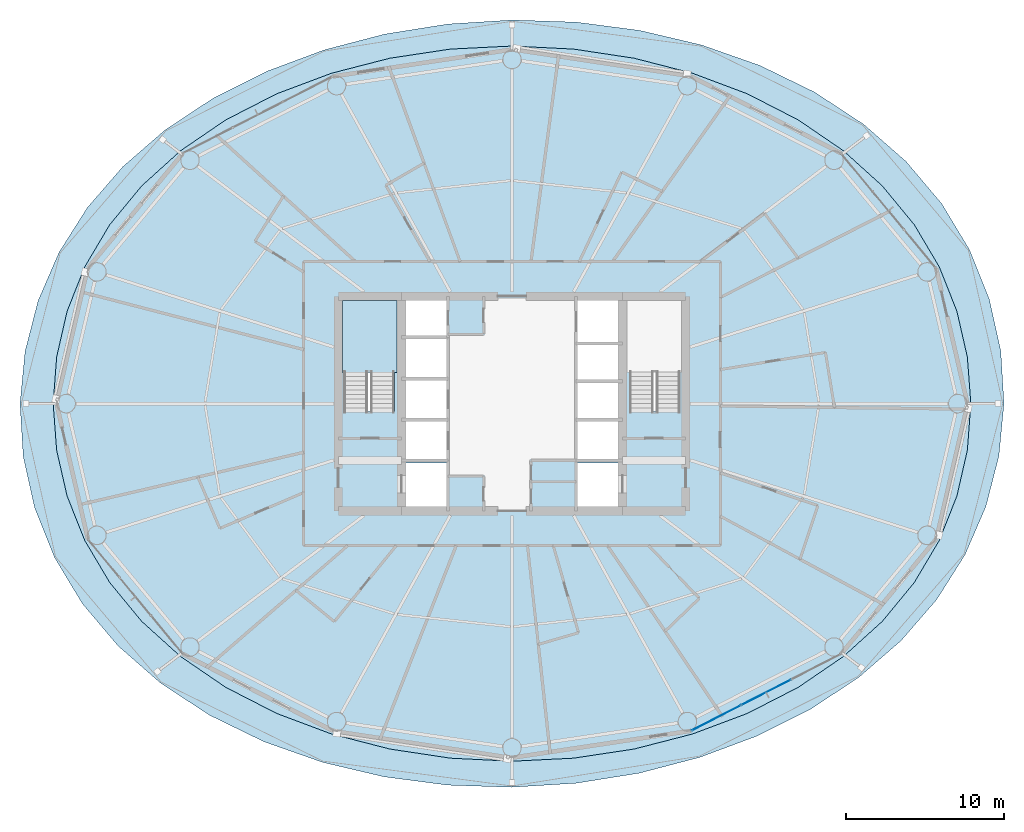
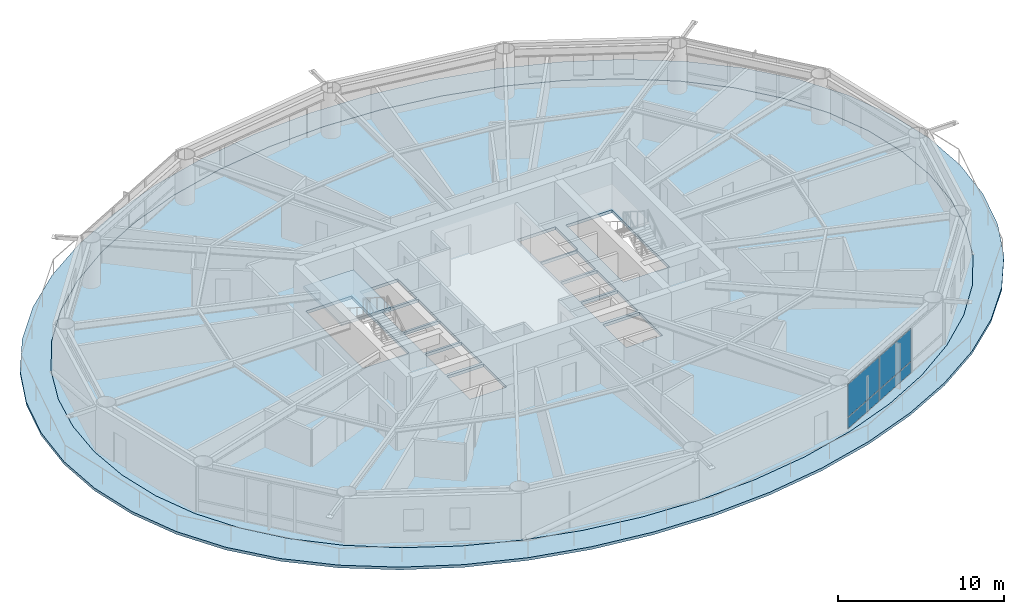
# One storey, part 15 of 24: 4 plates, 3 slabs, 2 elements without a shape of their own.
"""IFC4 building model written with IfcOpenShell, lengths in metres."""

from ifc_helpers import new_model, si_unit, direction, frame, origin, origin_2d, place, context, subcontext, project, spatial, polyline, rectangle, outline, extrude, material, layer, layer_set, type_object, element, aggregate, save


model = new_model("IFC4")

# Units and contexts
model_context = context("Model", 3, precision=1e-05, world=origin(), true_north=direction((0.0, 1.0)))
body_context = subcontext(model_context, "Body", "Model", "MODEL_VIEW")
ifc_project = project(units=[si_unit("LENGTHUNIT", "METRE"), si_unit("AREAUNIT", "SQUARE_METRE"), si_unit("VOLUMEUNIT", "CUBIC_METRE"), si_unit("PLANEANGLEUNIT", "RADIAN"), si_unit("MASSUNIT", "GRAM", prefix="KILO")], contexts=[model_context])

# Site, building, storey
site_placement = place(None, origin())
site = spatial("IfcSite", under=ifc_project, at=site_placement, CompositionType="ELEMENT")
building_placement = place(site_placement, origin())
building = spatial("IfcBuilding", under=site, at=building_placement, Name="Sarneth Arch Tower", CompositionType="ELEMENT")
storey_placement = place(building_placement, frame((0.0, 0.0, 112.800048828125)))
storey = spatial("IfcBuildingStorey", under=building, at=storey_placement, Name="L28", CompositionType="ELEMENT", Elevation=112.800048828125)

# Curtain wall, plates
ifc_material_1 = material(Name="Anodised aluminium Type AA25 and solar-control low-e laminated IGU", Category="aluminium")
ifc_layer_1 = layer(ifc_material_1, 0.159912109375)
ifc_layer_set_1 = layer_set([ifc_layer_1], Name="Anodised aluminium Type AA25 and solar-control low-e laminated IGU")
curtain_wall_type = type_object("IfcCurtainWallType", Name="CW-HOTEL-MID", PredefinedType="NOTDEFINED", material=ifc_layer_set_1)
curtain_wall_placement = place(storey_placement, origin())
curtain_wall = element("IfcCurtainWall", 1, at=curtain_wall_placement, inside=storey, type_object=curtain_wall_type, Name="L28 Unitised curtain wall facet 14", PredefinedType="NOTDEFINED")
ifc_material_2 = material(Name="Solar-control low-e laminated IGU", Category="glass")
ifc_layer_2 = layer(ifc_material_2, 0.028076171875)
ifc_layer_set_2 = layer_set([ifc_layer_2], Name="Solar-control low-e laminated IGU")
plate_type = type_object("IfcPlateType", Name="CW-PANEL", PredefinedType="CURTAIN_PANEL", material=ifc_layer_set_2)
plate_1_placement = place(storey_placement, frame((60.946044921875, 22.094482421875, 0.059814453125), z_axis=(0.0, 0.0, 1.0), x_axis=(0.889963703649, 0.456031365356, 0.0)))
plate_1 = element("IfcPlate", 2, at=plate_1_placement, type_object=plate_type, Name="Curtain wall glazed vision pane CW-L28-F14/P00-00", PredefinedType="CURTAIN_PANEL", context=body_context, shape_type="SweptSolid", body=[
    extrude(rectangle(XDim=3.464111328125, YDim=0.028076171875, at=origin_2d()), origin(), (0.0, 0.0, 1.0), 0.81005859375),
])
plate_2_placement = place(storey_placement, frame((60.946044921875, 22.094482421875, 0.93017578125), z_axis=(0.0, 0.0, 1.0), x_axis=(0.889963703649, 0.456031365356, 0.0)))
plate_2 = element("IfcPlate", 3, at=plate_2_placement, type_object=plate_type, Name="Curtain wall glazed vision pane CW-L28-F14/P00-01", PredefinedType="CURTAIN_PANEL", context=body_context, shape_type="SweptSolid", body=[
    extrude(rectangle(XDim=3.464111328125, YDim=0.028076171875, at=origin_2d()), origin(), (0.0, 0.0, 1.0), 2.389892578125),
])
plate_3_placement = place(storey_placement, frame((64.095703125, 23.70849609375, 0.059814453125), z_axis=(0.0, 0.0, 1.0), x_axis=(0.889963703649, 0.456031365356, 0.0)))
plate_3 = element("IfcPlate", 4, at=plate_3_placement, type_object=plate_type, Name="Curtain wall glazed vision pane CW-L28-F14/P01-00", PredefinedType="CURTAIN_PANEL", context=body_context, shape_type="SweptSolid", body=[
    extrude(rectangle(XDim=3.493896484375, YDim=0.028076171875, at=origin_2d()), origin(), (0.0, 0.0, 1.0), 0.81005859375),
])
plate_4_placement = place(storey_placement, frame((64.095703125, 23.70849609375, 0.93017578125), z_axis=(0.0, 0.0, 1.0), x_axis=(0.889963703649, 0.456031365356, 0.0)))
plate_4 = element("IfcPlate", 5, at=plate_4_placement, type_object=plate_type, Name="Curtain wall glazed vision pane CW-L28-F14/P01-01", PredefinedType="CURTAIN_PANEL", context=body_context, shape_type="SweptSolid", body=[
    extrude(rectangle(XDim=3.493896484375, YDim=0.028076171875, at=origin_2d()), origin(), (0.0, 0.0, 1.0), 2.389892578125),
])
aggregate(curtain_wall, [plate_1, plate_2, plate_3, plate_4])

# Slab
ifc_material_3 = material(Name="Concrete C50/60", Category="concrete")
ifc_layer_3 = layer(ifc_material_3, 0.199951171875)
ifc_layer_set_3 = layer_set([ifc_layer_3], Name="Concrete C50/60")
slab_type_1 = type_object("IfcSlabType", Name="SLAB-BALC-200", PredefinedType="FLOOR", material=ifc_layer_set_3)
slab_1_placement = place(storey_placement, frame((0.0, 0.0, -0.199951171875)))
element("IfcSlab", 6, at=slab_1_placement, inside=storey, type_object=slab_type_1, Name="L28 Helical balcony band slab", PredefinedType="FLOOR", context=body_context, shape_type="SweptSolid", body=[
    extrude(outline(polyline([(79.16357421875, 42.0), (78.962158203125, 45.335205078125), (78.233642578125, 48.60791015625), (76.9814453125, 51.739990234375), (75.21826171875, 54.666015625), (72.966552734375, 57.33349609375), (70.26220703125, 59.701171875), (67.155517578125, 61.73681640625), (63.7099609375, 63.416015625), (59.998046875, 64.720458984375), (56.094970703125, 65.638671875), (52.0732421875, 66.165283203125), (48.0, 66.29931640625), (43.93896484375, 66.044677734375), (39.951416015625, 65.40966796875), (36.100830078125, 64.40478515625), (32.4521484375, 63.044921875), (29.07080078125, 61.34619140625), (26.018798828125, 59.32763671875), (23.348876953125, 57.01025390625), (21.10205078125, 54.418212890625), (19.307373046875, 51.578857421875), (17.986083984375, 48.528076171875), (17.156982421875, 45.313720703125), (16.83642578125, 42.0), (17.037841796875, 38.664794921875), (17.766357421875, 35.39208984375), (19.0185546875, 32.260009765625), (20.78173828125, 29.333984375), (23.033447265625, 26.66650390625), (25.73779296875, 24.298828125), (28.844482421875, 22.26318359375), (32.2900390625, 20.583984375), (36.001953125, 19.279541015625), (39.905029296875, 18.361328125), (43.9267578125, 17.834716796875), (48.0, 17.70068359375), (52.06103515625, 17.955322265625), (56.048583984375, 18.59033203125), (59.899169921875, 19.59521484375), (63.5478515625, 20.955078125), (66.92919921875, 22.65380859375), (69.981201171875, 24.67236328125), (72.651123046875, 26.98974609375), (74.89794921875, 29.581787109375), (76.692626953125, 32.421142578125), (78.013916015625, 35.471923828125), (78.843017578125, 38.686279296875), (79.16357421875, 42.0)]), holes=[polyline([(77.062744140625, 42.0), (76.84228515625, 44.956298828125), (76.17724609375, 47.8623046875), (75.060546875, 50.667724609375), (73.486328125, 53.324951171875), (71.458251953125, 55.788330078125), (68.994384765625, 58.015869140625), (66.132080078125, 59.969482421875), (62.923828125, 61.615478515625), (59.435302734375, 62.92578125), (55.73779296875, 63.878173828125), (51.902587890625, 64.456298828125), (48.0, 64.64990234375), (44.097412109375, 64.456298828125), (40.26220703125, 63.878173828125), (36.564697265625, 62.92578125), (33.076171875, 61.615478515625), (29.867919921875, 59.969482421875), (27.005615234375, 58.015869140625), (24.541748046875, 55.788330078125), (22.513671875, 53.324951171875), (20.939453125, 50.667724609375), (19.82275390625, 47.8623046875), (19.15771484375, 44.956298828125), (18.937255859375, 42.0), (19.15771484375, 39.043701171875), (19.82275390625, 36.1376953125), (20.939453125, 33.332275390625), (22.513671875, 30.675048828125), (24.541748046875, 28.211669921875), (27.005615234375, 25.984130859375), (29.867919921875, 24.030517578125), (33.076171875, 22.384521484375), (36.564697265625, 21.07421875), (40.26220703125, 20.121826171875), (44.097412109375, 19.543701171875), (48.0, 19.35009765625), (51.902587890625, 19.543701171875), (55.73779296875, 20.121826171875), (59.435302734375, 21.07421875), (62.923828125, 22.384521484375), (66.132080078125, 24.030517578125), (68.994384765625, 25.984130859375), (71.458251953125, 28.211669921875), (73.486328125, 30.675048828125), (75.060546875, 33.332275390625), (76.17724609375, 36.1376953125), (76.84228515625, 39.043701171875), (77.062744140625, 42.0)])]), origin(), (0.0, 0.0, 1.0), 0.199951171875),
])

# Stair, slab
ifc_material_4 = material(Name="Concrete C50/60", Category="concrete")
stair_type = type_object("IfcStairType", Name="STAIR-CORE-RC", PredefinedType="HALF_TURN_STAIR", material=ifc_material_4)
stair_placement = place(storey_placement, origin())
stair = element("IfcStair", 7, at=stair_placement, inside=storey, type_object=stair_type, Name="L28 Core Exit Stair 1", PredefinedType="HALF_TURN_STAIR")
ifc_material_5 = material(Name="Concrete C50/60", Category="concrete")
ifc_layer_4 = layer(ifc_material_5, 0.199951171875)
ifc_layer_set_4 = layer_set([ifc_layer_4], Name="Concrete C50/60")
slab_type_2 = type_object("IfcSlabType", Name="SLAB-LANDING-200", PredefinedType="LANDING", material=ifc_layer_set_4)
slab_2_placement = place(storey_placement, frame((0.0, 0.0, 1.599853515625)))
slab_2 = element("IfcSlab", 8, at=slab_2_placement, type_object=slab_type_2, Name="ST-1 landing 1", PredefinedType="LANDING", context=body_context, shape_type="SweptSolid", body=[
    extrude(outline(polyline([(37.27490234375, 43.985107421875), (40.72509765625, 43.985107421875), (40.72509765625, 48.52490234375), (37.27490234375, 48.52490234375), (37.27490234375, 43.985107421875)])), origin(), (0.0, 0.0, 1.0), 0.2001953125),
])
aggregate(stair, [slab_2])

# Slab
ifc_material_6 = material(Name="Concrete C50/60", Category="concrete")
ifc_layer_5 = layer(ifc_material_6, 0.219970703125)
ifc_layer_set_5 = layer_set([ifc_layer_5], Name="Concrete C50/60")
slab_type_3 = type_object("IfcSlabType", Name="SLAB-TOWER-220", PredefinedType="FLOOR", material=ifc_layer_set_5)
slab_3_placement = place(storey_placement, frame((0.0, 0.0, -0.219970703125)))
element("IfcSlab", 9, at=slab_3_placement, inside=storey, type_object=slab_type_3, Name="L28 Elliptical floor slab", PredefinedType="FLOOR", context=body_context, shape_type="SweptSolid", body=[
    extrude(outline(polyline([(77.062744140625, 42.0), (76.84228515625, 44.956298828125), (76.17724609375, 47.8623046875), (75.060546875, 50.667724609375), (73.486328125, 53.324951171875), (71.458251953125, 55.788330078125), (68.994384765625, 58.015869140625), (66.132080078125, 59.969482421875), (62.923828125, 61.615478515625), (59.435302734375, 62.92578125), (55.73779296875, 63.878173828125), (51.902587890625, 64.456298828125), (48.0, 64.64990234375), (44.097412109375, 64.456298828125), (40.26220703125, 63.878173828125), (36.564697265625, 62.92578125), (33.076171875, 61.615478515625), (29.867919921875, 59.969482421875), (27.005615234375, 58.015869140625), (24.541748046875, 55.788330078125), (22.513671875, 53.324951171875), (20.939453125, 50.667724609375), (19.82275390625, 47.8623046875), (19.15771484375, 44.956298828125), (18.937255859375, 42.0), (19.15771484375, 39.043701171875), (19.82275390625, 36.1376953125), (20.939453125, 33.332275390625), (22.513671875, 30.675048828125), (24.541748046875, 28.211669921875), (27.005615234375, 25.984130859375), (29.867919921875, 24.030517578125), (33.076171875, 22.384521484375), (36.564697265625, 21.07421875), (40.26220703125, 20.121826171875), (44.097412109375, 19.543701171875), (48.0, 19.35009765625), (51.902587890625, 19.543701171875), (55.73779296875, 20.121826171875), (59.435302734375, 21.07421875), (62.923828125, 22.384521484375), (66.132080078125, 24.030517578125), (68.994384765625, 25.984130859375), (71.458251953125, 28.211669921875), (73.486328125, 30.675048828125), (75.060546875, 33.332275390625), (76.17724609375, 36.1376953125), (76.84228515625, 39.043701171875), (77.062744140625, 42.0)]), holes=[polyline([(37.35009765625, 41.489990234375), (40.550048828125, 41.489990234375), (40.550048828125, 48.39990234375), (37.35009765625, 48.39990234375), (37.35009765625, 41.489990234375)]), polyline([(55.449951171875, 41.489990234375), (58.64990234375, 41.489990234375), (58.64990234375, 48.39990234375), (55.449951171875, 48.39990234375), (55.449951171875, 41.489990234375)]), polyline([(41.199951171875, 46.25), (43.85009765625, 46.25), (43.85009765625, 48.550048828125), (41.199951171875, 48.550048828125), (41.199951171875, 46.25)]), polyline([(41.300048828125, 35.449951171875), (43.85009765625, 35.449951171875), (43.85009765625, 38.25), (41.300048828125, 38.25), (41.300048828125, 35.449951171875)]), polyline([(52.14990234375, 35.449951171875), (54.699951171875, 35.449951171875), (54.699951171875, 38.25), (52.14990234375, 38.25), (52.14990234375, 35.449951171875)]), polyline([(52.14990234375, 45.85009765625), (54.800048828125, 45.85009765625), (54.800048828125, 48.550048828125), (52.14990234375, 48.550048828125), (52.14990234375, 45.85009765625)]), polyline([(41.300048828125, 38.449951171875), (43.85009765625, 38.449951171875), (43.85009765625, 40.89990234375), (41.300048828125, 40.89990234375), (41.300048828125, 38.449951171875)]), polyline([(41.300048828125, 41.050048828125), (43.85009765625, 41.050048828125), (43.85009765625, 43.5), (41.300048828125, 43.5), (41.300048828125, 41.050048828125)]), polyline([(41.300048828125, 43.64990234375), (43.85009765625, 43.64990234375), (43.85009765625, 46.10009765625), (41.300048828125, 46.10009765625), (41.300048828125, 43.64990234375)]), polyline([(52.14990234375, 38.449951171875), (54.699951171875, 38.449951171875), (54.699951171875, 40.89990234375), (52.14990234375, 40.89990234375), (52.14990234375, 38.449951171875)]), polyline([(52.14990234375, 41.050048828125), (54.699951171875, 41.050048828125), (54.699951171875, 43.35009765625), (52.14990234375, 43.35009765625), (52.14990234375, 41.050048828125)]), polyline([(52.14990234375, 43.5), (54.699951171875, 43.5), (54.699951171875, 45.75), (52.14990234375, 45.75), (52.14990234375, 43.5)])]), origin(), (0.0, 0.0, 1.0), 0.219970703125),
])

save(model, "model.ifc")
